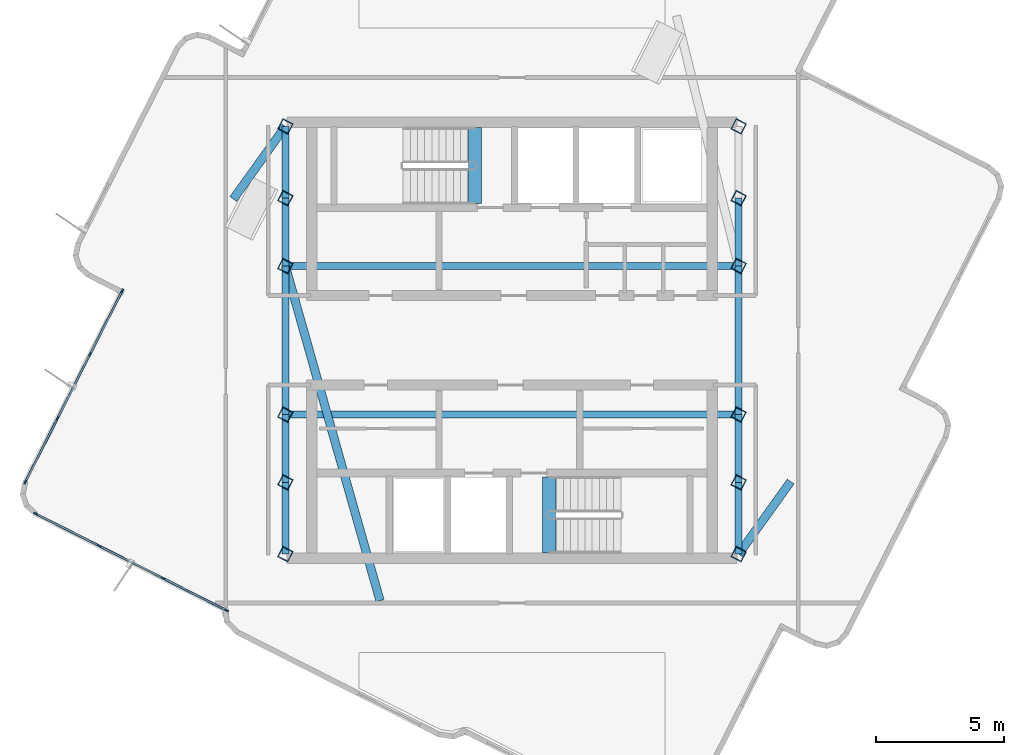
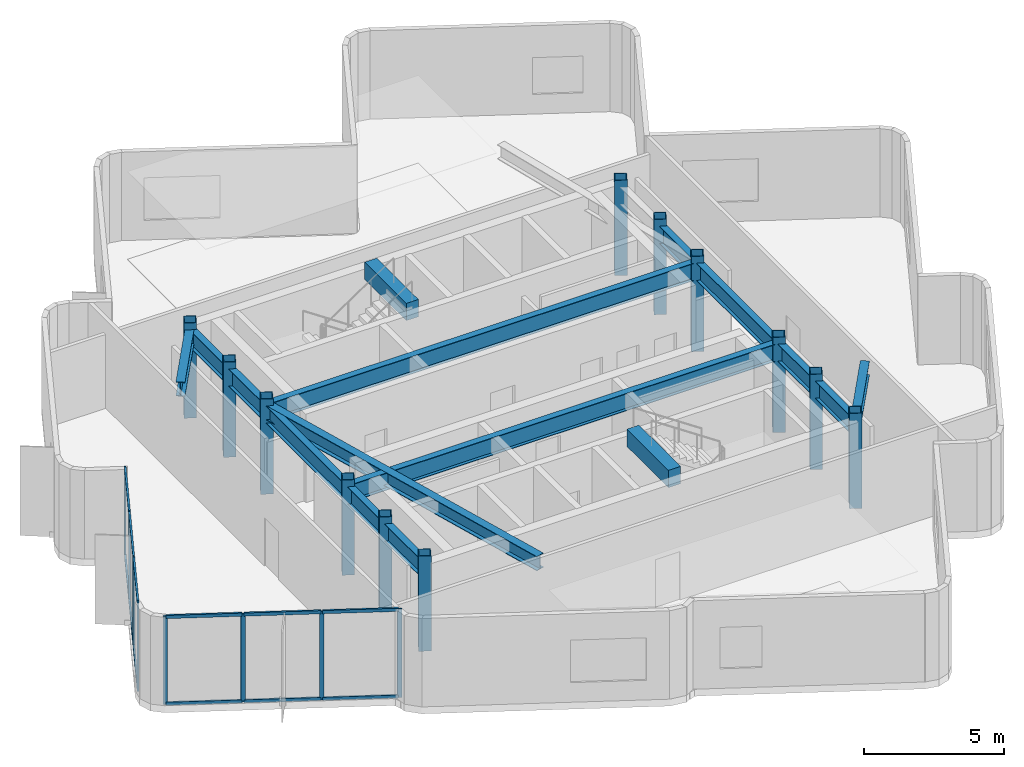
# One storey, part 1 of 8: 20 members, 16 beams, 12 columns, 2 elements without a shape of their own.
"""IFC4 building model written with IfcOpenShell, lengths in metres."""

from ifc_helpers import new_model, si_unit, direction, frame, origin, origin_2d, place, context, subcontext, project, spatial, rectangle, hollow_rectangle, i_section, extrude, material, layer, layer_set, material_profile, profile_set, type_object, element, aggregate, save


model = new_model("IFC4")

# Units and contexts
model_context = context("Model", 3, precision=1e-05, world=origin(), true_north=direction((0.0, 1.0)))
body_context = subcontext(model_context, "Body", "Model", "MODEL_VIEW")
ifc_project = project(units=[si_unit("LENGTHUNIT", "METRE"), si_unit("AREAUNIT", "SQUARE_METRE"), si_unit("VOLUMEUNIT", "CUBIC_METRE"), si_unit("PLANEANGLEUNIT", "RADIAN"), si_unit("MASSUNIT", "GRAM", prefix="KILO")], contexts=[model_context])

# Site, building, storey
site_placement = place(None, origin())
site = spatial("IfcSite", under=ifc_project, at=site_placement, CompositionType="ELEMENT")
building_placement = place(site_placement, origin())
building = spatial("IfcBuilding", under=site, at=building_placement, Name="Solmarez Civic Tower", CompositionType="ELEMENT")
storey_placement = place(building_placement, frame((0.0, 0.0, 289.260009765625)))
storey = spatial("IfcBuildingStorey", under=building, at=storey_placement, Name="L78 Crown", CompositionType="ELEMENT", Elevation=289.260009765625)

# Columns
ifc_material_1 = material(Name="Steel S355", Category="steel")
ifc_material_profile_1 = material_profile(ifc_material_1, hollow_rectangle(XDim=0.449951171875, YDim=0.449951171875, WallThickness=0.02197265625, at=origin_2d()), Name="HSS450X450X22")
ifc_profile_set_1 = profile_set([ifc_material_profile_1], Name="Steel S355")
column_type = type_object("IfcColumnType", Name="COL-HSS450", PredefinedType="COLUMN", material=ifc_profile_set_1)
for number, where, z_axis, x_axis, name in (
    (1, (-8.85009765625, -5.550048828125, 0.0), (0.0, 0.0, 1.0), (0.452123385691, 0.891955404777, 0.0), "L78 Crown Structural Column HC1"),
    (2, (-8.85009765625, -2.89990234375, 0.0), (0.0, 0.0, 1.0), (0.452123385691, 0.891955404777, 0.0), "L78 Crown Structural Column HC2"),
    (3, (-8.85009765625, 2.89990234375, 0.0), (0.0, 0.0, 1.0), (0.452123385691, 0.891955404777, 0.0), "L78 Crown Structural Column HC3"),
    (4, (-8.85009765625, 5.550048828125, 0.0), (0.0, 0.0, 1.0), (0.452123385691, 0.891955404777, 0.0), "L78 Crown Structural Column HC4"),
    (5, (8.85009765625, -5.550048828125, 0.0), (0.0, 0.0, 1.0), (0.452123385691, 0.891955404777, 0.0), "L78 Crown Structural Column HC5"),
    (6, (8.85009765625, -2.89990234375, 0.0), (0.0, 0.0, 1.0), (0.452123385691, 0.891955404777, 0.0), "L78 Crown Structural Column HC6"),
    (7, (8.85009765625, 2.89990234375, 0.0), (0.0, 0.0, 1.0), (0.452123385691, 0.891955404777, 0.0), "L78 Crown Structural Column HC7"),
    (8, (8.85009765625, 5.550048828125, 0.0), (0.0, 0.0, 1.0), (0.452123385691, 0.891955404777, 0.0), "L78 Crown Structural Column HC8"),
    (9, (-8.85009765625, 8.35009765625, 0.0), (0.0, 0.0, 1.0), (0.452123385691, 0.891955404777, 0.0), "L78 Crown Structural Column HC9"),
    (10, (8.85009765625, -8.35009765625, 0.0), (0.0, 0.0, 1.0), (0.452123385691, 0.891955404777, 0.0), "L78 Crown Structural Column HC10"),
    (11, (8.85009765625, 8.35009765625, 0.0), (0.0, 0.0, 1.0), (0.452123385691, 0.891955404777, 0.0), "L78 Crown Structural Column HC11"),
    (12, (-8.85009765625, -8.35009765625, 0.0), (0.0, 0.0, 1.0), (0.452123385691, 0.891955404777, 0.0), "L78 Crown Structural Column HC12"),
):
    element("IfcColumn", number, at=place(storey_placement, frame(where, z_axis=z_axis, x_axis=x_axis)), inside=storey, type_object=column_type, Name=name, PredefinedType="COLUMN", context=body_context, shape_type="SweptSolid", body=[
        extrude(hollow_rectangle(XDim=0.449951171875, YDim=0.449951171875, WallThickness=0.02197265625, at=origin_2d()), origin(), (0.0, 0.0, 1.0), 4.139892578125),
    ])

# Beams
ifc_material_2 = material(Name="Concrete C50/60", Category="concrete")
ifc_material_profile_2 = material_profile(ifc_material_2, rectangle(XDim=0.5, YDim=0.75, at=origin_2d()), Name="RC500X750")
ifc_profile_set_2 = profile_set([ifc_material_profile_2], Name="Concrete C50/60")
beam_type_1 = type_object("IfcBeamType", Name="BM-PR-RC500X750", PredefinedType="BEAM", material=ifc_profile_set_2)
for number, where, z_axis, x_axis, name in (
    (13, (-1.449951171875, 5.340087890625, 3.77294921875), (0.0, 1.0, 0.0), (-1.0, 0.0, 0.0), "L78 Crown North Stair Threshold Beam"),
    (14, (1.449951171875, -8.300048828125, 3.77294921875), (0.0, 1.0, 0.0), (-1.0, 0.0, 0.0), "L78 Crown South Stair Threshold Beam"),
):
    element("IfcBeam", number, at=place(storey_placement, frame(where, z_axis=z_axis, x_axis=x_axis)), inside=storey, type_object=beam_type_1, Name=name, PredefinedType="BEAM", context=body_context, shape_type="SweptSolid", body=[
        extrude(rectangle(XDim=0.5, YDim=0.75, at=origin_2d()), origin(), (0.0, 0.0, 1.0), 2.9599609375),
    ])
ifc_material_profile_3 = material_profile(ifc_material_1, i_section(OverallWidth=0.327880859375, OverallDepth=0.6220703125, WebThickness=0.015380859375, FlangeThickness=0.0244140625, at=origin_2d()), Name="W24X131")
ifc_profile_set_3 = profile_set([ifc_material_profile_3], Name="Steel S355")
beam_type_2 = type_object("IfcBeamType", Name="BM-PR-W24X131", PredefinedType="BEAM", material=ifc_profile_set_3)
beam_1_placement = place(storey_placement, frame((-8.85009765625, 8.35009765625, 3.529052734375), z_axis=(-0.582700860141, -0.812686721677, 0.0), x_axis=(0.812686721677, -0.582700860141, 0.0)))
element("IfcBeam", 15, at=beam_1_placement, inside=storey, type_object=beam_type_2, Name="L78 Crown Primary Floor Beam BM-L78 Crown-CR-N2", PredefinedType="BEAM", context=body_context, shape_type="SweptSolid", body=[
    extrude(i_section(OverallWidth=0.327880859375, OverallDepth=0.6220703125, WebThickness=0.015380859375, FlangeThickness=0.0244140625, at=origin_2d()), origin(), (0.0, 0.0, 1.0), 3.487060546875),
])
beam_2_placement = place(storey_placement, frame((-8.85009765625, 2.89990234375, 3.529052734375), z_axis=(0.272158219067, -0.962252515608, 0.0), x_axis=(0.962252515608, 0.272158219067, 0.0)))
element("IfcBeam", 16, at=beam_2_placement, inside=storey, type_object=beam_type_2, Name="L78 Crown Primary Floor Beam BM-L78 Crown-CR-W1", PredefinedType="BEAM", context=body_context, shape_type="SweptSolid", body=[
    extrude(i_section(OverallWidth=0.327880859375, OverallDepth=0.6220703125, WebThickness=0.015380859375, FlangeThickness=0.0244140625, at=origin_2d()), origin(), (0.0, 0.0, 1.0), 13.58056640625),
])
beam_3_placement = place(storey_placement, frame((8.85009765625, -8.35009765625, 3.529052734375), z_axis=(0.582700860141, 0.812686721677, 0.0), x_axis=(-0.812686721677, 0.582700860141, 0.0)))
element("IfcBeam", 17, at=beam_3_placement, inside=storey, type_object=beam_type_2, Name="L78 Crown Primary Floor Beam BM-L78 Crown-CR-S2", PredefinedType="BEAM", context=body_context, shape_type="SweptSolid", body=[
    extrude(i_section(OverallWidth=0.327880859375, OverallDepth=0.6220703125, WebThickness=0.015380859375, FlangeThickness=0.0244140625, at=origin_2d()), origin(), (0.0, 0.0, 1.0), 3.487060546875),
])
ifc_material_profile_4 = material_profile(ifc_material_1, i_section(OverallWidth=0.26708984375, OverallDepth=0.761962890625, WebThickness=0.014404296875, FlangeThickness=0.021484375, at=origin_2d()), Name="W30X116")
ifc_profile_set_4 = profile_set([ifc_material_profile_4], Name="Steel S355")
beam_type_3 = type_object("IfcBeamType", Name="BM-PR-W30X116", PredefinedType="BEAM", material=ifc_profile_set_4)
beam_4_placement = place(storey_placement, frame((-8.85009765625, -8.35009765625, 3.458984375), z_axis=(0.0, 1.0, 0.0), x_axis=(-1.0, 0.0, 0.0)))
element("IfcBeam", 18, at=beam_4_placement, inside=storey, type_object=beam_type_3, Name="L78 Crown Primary Floor Beam BM-L78 Crown-HC12-HC1", PredefinedType="BEAM", context=body_context, shape_type="SweptSolid", body=[
    extrude(i_section(OverallWidth=0.26708984375, OverallDepth=0.761962890625, WebThickness=0.014404296875, FlangeThickness=0.021484375, at=origin_2d()), origin(), (0.0, 0.0, 1.0), 2.800048828125),
])
beam_5_placement = place(storey_placement, frame((-8.85009765625, -5.550048828125, 3.458984375), z_axis=(0.0, 1.0, 0.0), x_axis=(-1.0, 0.0, 0.0)))
element("IfcBeam", 19, at=beam_5_placement, inside=storey, type_object=beam_type_3, Name="L78 Crown Primary Floor Beam BM-L78 Crown-HC1-HC2", PredefinedType="BEAM", context=body_context, shape_type="SweptSolid", body=[
    extrude(i_section(OverallWidth=0.26708984375, OverallDepth=0.761962890625, WebThickness=0.014404296875, FlangeThickness=0.021484375, at=origin_2d()), origin(), (0.0, 0.0, 1.0), 2.650146484375),
])
beam_6_placement = place(storey_placement, frame((-8.85009765625, -2.89990234375, 3.458984375), z_axis=(0.0, 1.0, 0.0), x_axis=(-1.0, 0.0, 0.0)))
element("IfcBeam", 20, at=beam_6_placement, inside=storey, type_object=beam_type_3, Name="L78 Crown Primary Floor Beam BM-L78 Crown-HC2-HC3", PredefinedType="BEAM", context=body_context, shape_type="SweptSolid", body=[
    extrude(i_section(OverallWidth=0.26708984375, OverallDepth=0.761962890625, WebThickness=0.014404296875, FlangeThickness=0.021484375, at=origin_2d()), origin(), (0.0, 0.0, 1.0), 5.7998046875),
])
beam_7_placement = place(storey_placement, frame((-8.85009765625, 2.89990234375, 3.458984375), z_axis=(0.0, 1.0, 0.0), x_axis=(-1.0, 0.0, 0.0)))
element("IfcBeam", 21, at=beam_7_placement, inside=storey, type_object=beam_type_3, Name="L78 Crown Primary Floor Beam BM-L78 Crown-HC3-HC4", PredefinedType="BEAM", context=body_context, shape_type="SweptSolid", body=[
    extrude(i_section(OverallWidth=0.26708984375, OverallDepth=0.761962890625, WebThickness=0.014404296875, FlangeThickness=0.021484375, at=origin_2d()), origin(), (0.0, 0.0, 1.0), 2.650146484375),
])
for number, where, z_axis, x_axis, name in (
    (22, (-8.85009765625, 5.550048828125, 3.458984375), (0.0, 1.0, 0.0), (-1.0, 0.0, 0.0), "L78 Crown Primary Floor Beam BM-L78 Crown-HC4-HC9"),
    (23, (8.85009765625, -8.35009765625, 3.458984375), (0.0, 1.0, 0.0), (-1.0, 0.0, 0.0), "L78 Crown Primary Floor Beam BM-L78 Crown-HC10-HC5"),
):
    element("IfcBeam", number, at=place(storey_placement, frame(where, z_axis=z_axis, x_axis=x_axis)), inside=storey, type_object=beam_type_3, Name=name, PredefinedType="BEAM", context=body_context, shape_type="SweptSolid", body=[
        extrude(i_section(OverallWidth=0.26708984375, OverallDepth=0.761962890625, WebThickness=0.014404296875, FlangeThickness=0.021484375, at=origin_2d()), origin(), (0.0, 0.0, 1.0), 2.800048828125),
    ])
beam_8_placement = place(storey_placement, frame((8.85009765625, -5.550048828125, 3.458984375), z_axis=(0.0, 1.0, 0.0), x_axis=(-1.0, 0.0, 0.0)))
element("IfcBeam", 24, at=beam_8_placement, inside=storey, type_object=beam_type_3, Name="L78 Crown Primary Floor Beam BM-L78 Crown-HC5-HC6", PredefinedType="BEAM", context=body_context, shape_type="SweptSolid", body=[
    extrude(i_section(OverallWidth=0.26708984375, OverallDepth=0.761962890625, WebThickness=0.014404296875, FlangeThickness=0.021484375, at=origin_2d()), origin(), (0.0, 0.0, 1.0), 2.650146484375),
])
beam_9_placement = place(storey_placement, frame((8.85009765625, -2.89990234375, 3.458984375), z_axis=(0.0, 1.0, 0.0), x_axis=(-1.0, 0.0, 0.0)))
element("IfcBeam", 25, at=beam_9_placement, inside=storey, type_object=beam_type_3, Name="L78 Crown Primary Floor Beam BM-L78 Crown-HC6-HC7", PredefinedType="BEAM", context=body_context, shape_type="SweptSolid", body=[
    extrude(i_section(OverallWidth=0.26708984375, OverallDepth=0.761962890625, WebThickness=0.014404296875, FlangeThickness=0.021484375, at=origin_2d()), origin(), (0.0, 0.0, 1.0), 5.7998046875),
])
beam_10_placement = place(storey_placement, frame((8.85009765625, 2.89990234375, 3.458984375), z_axis=(0.0, 1.0, 0.0), x_axis=(-1.0, 0.0, 0.0)))
element("IfcBeam", 26, at=beam_10_placement, inside=storey, type_object=beam_type_3, Name="L78 Crown Primary Floor Beam BM-L78 Crown-HC7-HC8", PredefinedType="BEAM", context=body_context, shape_type="SweptSolid", body=[
    extrude(i_section(OverallWidth=0.26708984375, OverallDepth=0.761962890625, WebThickness=0.014404296875, FlangeThickness=0.021484375, at=origin_2d()), origin(), (0.0, 0.0, 1.0), 2.650146484375),
])
for number, where, z_axis, x_axis, name in (
    (27, (-8.85009765625, -2.89990234375, 3.458984375), (1.0, 0.0, 0.0), (0.0, 1.0, 0.0), "L78 Crown Primary Floor Beam BM-L78 Crown-HC2-HC6"),
    (28, (-8.85009765625, 2.89990234375, 3.458984375), (1.0, 0.0, 0.0), (0.0, 1.0, 0.0), "L78 Crown Primary Floor Beam BM-L78 Crown-HC3-HC7"),
):
    element("IfcBeam", number, at=place(storey_placement, frame(where, z_axis=z_axis, x_axis=x_axis)), inside=storey, type_object=beam_type_3, Name=name, PredefinedType="BEAM", context=body_context, shape_type="SweptSolid", body=[
        extrude(i_section(OverallWidth=0.26708984375, OverallDepth=0.761962890625, WebThickness=0.014404296875, FlangeThickness=0.021484375, at=origin_2d()), origin(), (0.0, 0.0, 1.0), 17.7001953125),
    ])

# Curtain wall, members
ifc_material_3 = material(Name="Bronze Anodised Aluminium EN AW-6063 T6", Category="aluminium")
ifc_layer = layer(ifc_material_3, 0.195068359375)
ifc_layer_set = layer_set([ifc_layer], Name="Bronze Anodised Aluminium EN AW-6063 T6")
curtain_wall_type = type_object("IfcCurtainWallType", Name="CW-SYS-7", PredefinedType="NOTDEFINED", material=ifc_layer_set)
curtain_wall_1_placement = place(storey_placement, origin())
curtain_wall_1 = element("IfcCurtainWall", 29, at=curtain_wall_1_placement, inside=storey, type_object=curtain_wall_type, Name="L78 Crown Stick-Built Curtain Wall 1", PredefinedType="NOTDEFINED")
ifc_material_profile_5 = material_profile(ifc_material_3, rectangle(XDim=0.06494140625, YDim=0.1650390625, at=origin_2d()), Name="CWM-65X165")
ifc_profile_set_5 = profile_set([ifc_material_profile_5], Name="Bronze Anodised Aluminium EN AW-6063 T6")
member_type_1 = type_object("IfcMemberType", Name="CWM-TYPE-3", PredefinedType="MULLION", material=ifc_profile_set_5)
member_1_placement = place(storey_placement, frame((-11.14990234375, -10.54833984375, 0.0), z_axis=(0.0, 0.0, 1.0), x_axis=(-0.452148805151, -0.891942519449, 0.0)))
member_1 = element("IfcMember", 30, at=member_1_placement, type_object=member_type_1, Name="CWS7 mullion 1", PredefinedType="MULLION", context=body_context, shape_type="SweptSolid", body=[
    extrude(rectangle(XDim=0.06494140625, YDim=0.1650390625, at=origin_2d()), origin(), (0.0, 0.0, 1.0), 3.840087890625),
])
member_2_placement = place(storey_placement, frame((-13.623779296875, -9.29443359375, 0.0), z_axis=(0.0, 0.0, 1.0), x_axis=(-0.452148805151, -0.891942519449, 0.0)))
member_2 = element("IfcMember", 31, at=member_2_placement, type_object=member_type_1, Name="CWS7 mullion 2", PredefinedType="MULLION", context=body_context, shape_type="SweptSolid", body=[
    extrude(rectangle(XDim=0.06494140625, YDim=0.1650390625, at=origin_2d()), origin(), (0.0, 0.0, 1.0), 3.840087890625),
])
member_3_placement = place(storey_placement, frame((-16.126220703125, -8.025634765625, 0.0), z_axis=(0.0, 0.0, 1.0), x_axis=(-0.452148805151, -0.891942519449, 0.0)))
member_3 = element("IfcMember", 32, at=member_3_placement, type_object=member_type_1, Name="CWS7 mullion 3", PredefinedType="MULLION", context=body_context, shape_type="SweptSolid", body=[
    extrude(rectangle(XDim=0.06494140625, YDim=0.1650390625, at=origin_2d()), origin(), (0.0, 0.0, 1.0), 3.840087890625),
])
member_4_placement = place(storey_placement, frame((-18.60009765625, -6.771728515625, 0.0), z_axis=(0.0, 0.0, 1.0), x_axis=(-0.452148805151, -0.891942519449, 0.0)))
member_4 = element("IfcMember", 33, at=member_4_placement, type_object=member_type_1, Name="CWS7 mullion 4", PredefinedType="MULLION", context=body_context, shape_type="SweptSolid", body=[
    extrude(rectangle(XDim=0.06494140625, YDim=0.1650390625, at=origin_2d()), origin(), (0.0, 0.0, 1.0), 3.840087890625),
])

curtain_wall_2_placement = place(storey_placement, origin())
curtain_wall_2 = element("IfcCurtainWall", 34, at=curtain_wall_2_placement, inside=storey, type_object=curtain_wall_type, Name="L78 Crown Stick-Built Curtain Wall 2", PredefinedType="NOTDEFINED")
member_5_placement = place(storey_placement, frame((-19.00537109375, -5.533935546875, 0.0), z_axis=(0.0, 0.0, 1.0), x_axis=(-0.891946494987, 0.452140962622, 0.0)))
member_5 = element("IfcMember", 35, at=member_5_placement, type_object=member_type_1, Name="CWS7 mullion 1", PredefinedType="MULLION", context=body_context, shape_type="SweptSolid", body=[
    extrude(rectangle(XDim=0.06494140625, YDim=0.1650390625, at=origin_2d()), origin(), (0.0, 0.0, 1.0), 3.840087890625),
])
member_6_placement = place(storey_placement, frame((-17.749267578125, -3.056396484375, 0.0), z_axis=(0.0, 0.0, 1.0), x_axis=(-0.891946494987, 0.452140962622, 0.0)))
member_6 = element("IfcMember", 36, at=member_6_placement, type_object=member_type_1, Name="CWS7 mullion 2", PredefinedType="MULLION", context=body_context, shape_type="SweptSolid", body=[
    extrude(rectangle(XDim=0.06494140625, YDim=0.1650390625, at=origin_2d()), origin(), (0.0, 0.0, 1.0), 3.840087890625),
])
member_7_placement = place(storey_placement, frame((-16.478759765625, -0.549560546875, 0.0), z_axis=(0.0, 0.0, 1.0), x_axis=(-0.891946494987, 0.452140962622, 0.0)))
member_7 = element("IfcMember", 37, at=member_7_placement, type_object=member_type_1, Name="CWS7 mullion 3", PredefinedType="MULLION", context=body_context, shape_type="SweptSolid", body=[
    extrude(rectangle(XDim=0.06494140625, YDim=0.1650390625, at=origin_2d()), origin(), (0.0, 0.0, 1.0), 3.840087890625),
])
member_8_placement = place(storey_placement, frame((-15.22265625, 1.927978515625, 0.0), z_axis=(0.0, 0.0, 1.0), x_axis=(-0.891946494987, 0.452140962622, 0.0)))
member_8 = element("IfcMember", 38, at=member_8_placement, type_object=member_type_1, Name="CWS7 mullion 4", PredefinedType="MULLION", context=body_context, shape_type="SweptSolid", body=[
    extrude(rectangle(XDim=0.06494140625, YDim=0.1650390625, at=origin_2d()), origin(), (0.0, 0.0, 1.0), 3.840087890625),
])

# Member
ifc_material_profile_6 = material_profile(ifc_material_3, rectangle(XDim=0.070068359375, YDim=0.139892578125, at=origin_2d()), Name="CWT-70X140")
ifc_profile_set_6 = profile_set([ifc_material_profile_6], Name="Bronze Anodised Aluminium EN AW-6063 T6")
member_type_2 = type_object("IfcMemberType", Name="CWT-TYPE-1", PredefinedType="USERDEFINED", material=ifc_profile_set_6)
member_9_placement = place(storey_placement, frame((-11.178955078125, -10.53369140625, 0.034912109375), z_axis=(-0.891943691188, 0.452146493683, 0.0), x_axis=(-0.452146493683, -0.891943691188, 0.0)))
member_9 = element("IfcMember", 39, at=member_9_placement, type_object=member_type_2, Name="CWS7 transom 1.1", ObjectType="TRANSOM", PredefinedType="USERDEFINED", context=body_context, shape_type="SweptSolid", body=[
    extrude(rectangle(XDim=0.070068359375, YDim=0.139892578125, at=origin_2d()), origin(), (0.0, 0.0, 1.0), 2.70849609375),
])

member_10_placement = place(storey_placement, frame((-11.178955078125, -10.53369140625, 3.804931640625), z_axis=(-0.891943691188, 0.452146493683, 0.0), x_axis=(-0.452146493683, -0.891943691188, 0.0)))
member_10 = element("IfcMember", 40, at=member_10_placement, type_object=member_type_2, Name="CWS7 transom 1.2", ObjectType="TRANSOM", PredefinedType="USERDEFINED", context=body_context, shape_type="SweptSolid", body=[
    extrude(rectangle(XDim=0.070068359375, YDim=0.139892578125, at=origin_2d()), origin(), (0.0, 0.0, 1.0), 2.70849609375),
])

member_11_placement = place(storey_placement, frame((-13.652587890625, -9.279541015625, 0.034912109375), z_axis=(-0.891955322208, 0.452123548585, 0.0), x_axis=(-0.452123548585, -0.891955322208, 0.0)))
member_11 = element("IfcMember", 41, at=member_11_placement, type_object=member_type_2, Name="CWS7 transom 2.1", ObjectType="TRANSOM", PredefinedType="USERDEFINED", context=body_context, shape_type="SweptSolid", body=[
    extrude(rectangle(XDim=0.070068359375, YDim=0.139892578125, at=origin_2d()), origin(), (0.0, 0.0, 1.0), 2.740966796875),
])

member_12_placement = place(storey_placement, frame((-13.652587890625, -9.279541015625, 3.804931640625), z_axis=(-0.891955322208, 0.452123548585, 0.0), x_axis=(-0.452123548585, -0.891955322208, 0.0)))
member_12 = element("IfcMember", 42, at=member_12_placement, type_object=member_type_2, Name="CWS7 transom 2.2", ObjectType="TRANSOM", PredefinedType="USERDEFINED", context=body_context, shape_type="SweptSolid", body=[
    extrude(rectangle(XDim=0.070068359375, YDim=0.139892578125, at=origin_2d()), origin(), (0.0, 0.0, 1.0), 2.740966796875),
])

member_13_placement = place(storey_placement, frame((-16.1552734375, -8.010986328125, 0.034912109375), z_axis=(-0.891943691188, 0.452146493683, 0.0), x_axis=(-0.452146493683, -0.891943691188, 0.0)))
member_13 = element("IfcMember", 43, at=member_13_placement, type_object=member_type_2, Name="CWS7 transom 3.1", ObjectType="TRANSOM", PredefinedType="USERDEFINED", context=body_context, shape_type="SweptSolid", body=[
    extrude(rectangle(XDim=0.070068359375, YDim=0.139892578125, at=origin_2d()), origin(), (0.0, 0.0, 1.0), 2.70849609375),
])

member_14_placement = place(storey_placement, frame((-16.1552734375, -8.010986328125, 3.804931640625), z_axis=(-0.891943691188, 0.452146493683, 0.0), x_axis=(-0.452146493683, -0.891943691188, 0.0)))
member_14 = element("IfcMember", 44, at=member_14_placement, type_object=member_type_2, Name="CWS7 transom 3.2", ObjectType="TRANSOM", PredefinedType="USERDEFINED", context=body_context, shape_type="SweptSolid", body=[
    extrude(rectangle(XDim=0.070068359375, YDim=0.139892578125, at=origin_2d()), origin(), (0.0, 0.0, 1.0), 2.70849609375),
])

aggregate(curtain_wall_1, [member_1, member_2, member_3, member_4, member_9, member_10, member_11, member_12, member_13, member_14])

member_15_placement = place(storey_placement, frame((-18.99072265625, -5.505126953125, 0.034912109375), z_axis=(0.452173862841, 0.891929816613, 0.0), x_axis=(-0.891929816613, 0.452173862841, 0.0)))
member_15 = element("IfcMember", 45, at=member_15_placement, type_object=member_type_2, Name="CWS7 transom 1.1", ObjectType="TRANSOM", PredefinedType="USERDEFINED", context=body_context, shape_type="SweptSolid", body=[
    extrude(rectangle(XDim=0.070068359375, YDim=0.139892578125, at=origin_2d()), origin(), (0.0, 0.0, 1.0), 2.713134765625),
])

member_16_placement = place(storey_placement, frame((-18.99072265625, -5.505126953125, 3.804931640625), z_axis=(0.452173862841, 0.891929816613, 0.0), x_axis=(-0.891929816613, 0.452173862841, 0.0)))
member_16 = element("IfcMember", 46, at=member_16_placement, type_object=member_type_2, Name="CWS7 transom 1.2", ObjectType="TRANSOM", PredefinedType="USERDEFINED", context=body_context, shape_type="SweptSolid", body=[
    extrude(rectangle(XDim=0.070068359375, YDim=0.139892578125, at=origin_2d()), origin(), (0.0, 0.0, 1.0), 2.713134765625),
])

member_17_placement = place(storey_placement, frame((-17.734619140625, -3.02734375, 0.034912109375), z_axis=(0.452115748618, 0.891959275893, 0.0), x_axis=(-0.891959275893, 0.452115748618, 0.0)))
member_17 = element("IfcMember", 47, at=member_17_placement, type_object=member_type_2, Name="CWS7 transom 2.1", ObjectType="TRANSOM", PredefinedType="USERDEFINED", context=body_context, shape_type="SweptSolid", body=[
    extrude(rectangle(XDim=0.070068359375, YDim=0.139892578125, at=origin_2d()), origin(), (0.0, 0.0, 1.0), 2.745361328125),
])

member_18_placement = place(storey_placement, frame((-17.734619140625, -3.02734375, 3.804931640625), z_axis=(0.452115748618, 0.891959275893, 0.0), x_axis=(-0.891959275893, 0.452115748618, 0.0)))
member_18 = element("IfcMember", 48, at=member_18_placement, type_object=member_type_2, Name="CWS7 transom 2.2", ObjectType="TRANSOM", PredefinedType="USERDEFINED", context=body_context, shape_type="SweptSolid", body=[
    extrude(rectangle(XDim=0.070068359375, YDim=0.139892578125, at=origin_2d()), origin(), (0.0, 0.0, 1.0), 2.745361328125),
])

member_19_placement = place(storey_placement, frame((-16.4638671875, -0.520751953125, 0.034912109375), z_axis=(0.45213856333, 0.891947711219, 0.0), x_axis=(-0.891947711219, 0.45213856333, 0.0)))
member_19 = element("IfcMember", 49, at=member_19_placement, type_object=member_type_2, Name="CWS7 transom 3.1", ObjectType="TRANSOM", PredefinedType="USERDEFINED", context=body_context, shape_type="SweptSolid", body=[
    extrude(rectangle(XDim=0.070068359375, YDim=0.139892578125, at=origin_2d()), origin(), (0.0, 0.0, 1.0), 2.712890625),
])

member_20_placement = place(storey_placement, frame((-16.4638671875, -0.520751953125, 3.804931640625), z_axis=(0.45213856333, 0.891947711219, 0.0), x_axis=(-0.891947711219, 0.45213856333, 0.0)))
member_20 = element("IfcMember", 50, at=member_20_placement, type_object=member_type_2, Name="CWS7 transom 3.2", ObjectType="TRANSOM", PredefinedType="USERDEFINED", context=body_context, shape_type="SweptSolid", body=[
    extrude(rectangle(XDim=0.070068359375, YDim=0.139892578125, at=origin_2d()), origin(), (0.0, 0.0, 1.0), 2.712890625),
])

aggregate(curtain_wall_2, [member_5, member_6, member_7, member_8, member_15, member_16, member_17, member_18, member_19, member_20])

save(model, "model.ifc")
